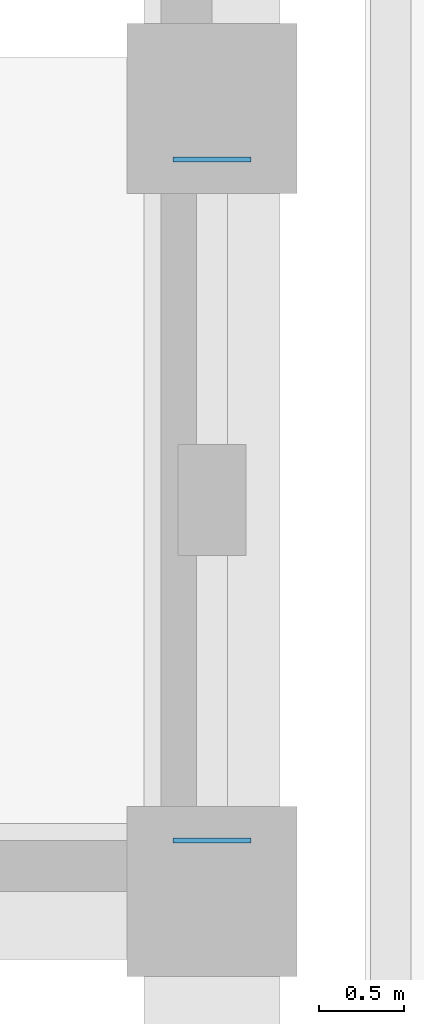
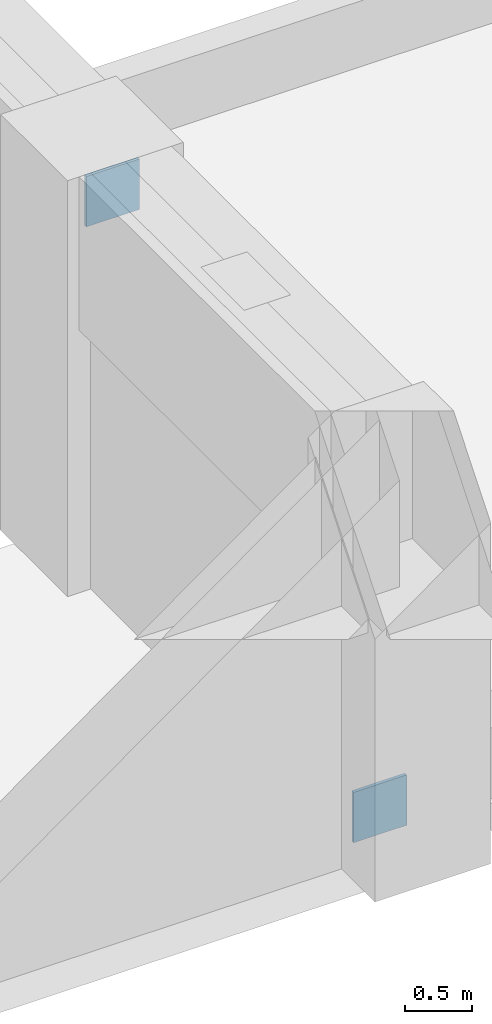
# One storey, part 52 of 74: 2 plates.
"""IFC4 building model written with IfcOpenShell, lengths in metres."""

from ifc_helpers import new_model, si_unit, direction, frame, origin, origin_2d, place, context, subcontext, project, spatial, rectangle, extrude, material, layer, layer_set, type_object, element, save


model = new_model("IFC4")

# Units and contexts
model_context = context("Model", 3, precision=1e-05, world=origin(), true_north=direction((0.0, 1.0)))
body_context = subcontext(model_context, "Body", "Model", "MODEL_VIEW")
ifc_project = project(units=[si_unit("LENGTHUNIT", "METRE"), si_unit("AREAUNIT", "SQUARE_METRE"), si_unit("VOLUMEUNIT", "CUBIC_METRE"), si_unit("PLANEANGLEUNIT", "RADIAN"), si_unit("MASSUNIT", "GRAM", prefix="KILO")], contexts=[model_context])

# Site, building, storey
site_placement = place(None, origin())
site = spatial("IfcSite", under=ifc_project, at=site_placement, CompositionType="ELEMENT")
building_placement = place(site_placement, origin())
building = spatial("IfcBuilding", under=site, at=building_placement, Name="Muzn Square Opera House", CompositionType="ELEMENT")
storey_placement = place(building_placement, frame((0.0, 0.0, 14.199951171875)))
storey = spatial("IfcBuildingStorey", under=building, at=storey_placement, Name="L03", CompositionType="ELEMENT", Elevation=14.199951171875)

# Plates
ifc_material = material(Name="Steel S355", Category="steel")
ifc_layer = layer(ifc_material, 0.028076171875, Name="Steel S355", Category="steel")
ifc_layer_set = layer_set([ifc_layer], Name="Steel S355")
plate_type = type_object("IfcPlateType", Name="Gusset Plate 28mm 460x460", PredefinedType="USERDEFINED", material=ifc_layer_set)
for number, where, z_axis, x_axis, name in (
    (1, (133.0, 22.300048828125, -0.030029296875), (0.0, 0.0, 1.0), (1.0, 0.0, 0.0), "Lateral Brace End Cap Plate SBRC-12-A"),
    (2, (133.0, 26.300048828125, 3.170166015625), (0.0, 0.0, 1.0), (1.0, 0.0, 0.0), "Lateral Brace End Cap Plate SBRC-12-B"),
):
    element("IfcPlate", number, at=place(storey_placement, frame(where, z_axis=z_axis, x_axis=x_axis)), inside=storey, type_object=plate_type, Name=name, ObjectType="GUSSET PLATE", PredefinedType="USERDEFINED", context=body_context, shape_type="SweptSolid", body=[
        extrude(rectangle(XDim=0.4599609375, YDim=0.028076171875, at=origin_2d()), origin(), (0.0, 0.0, 1.0), 0.4599609375),
    ])

save(model, "model.ifc")
